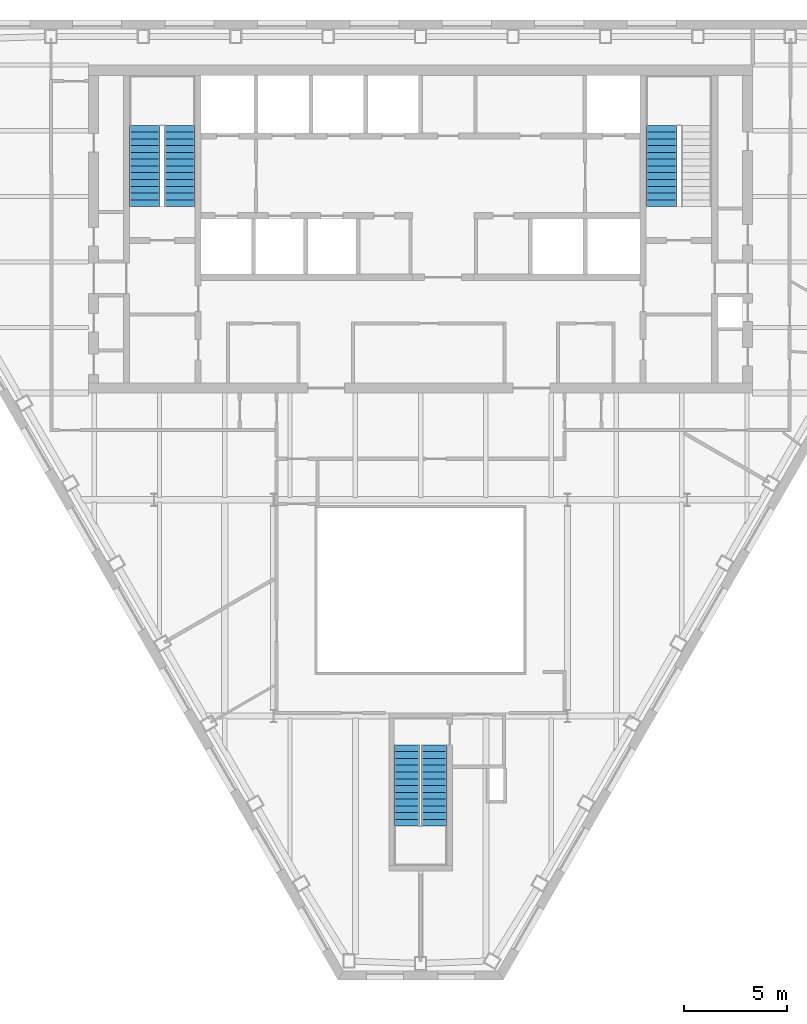
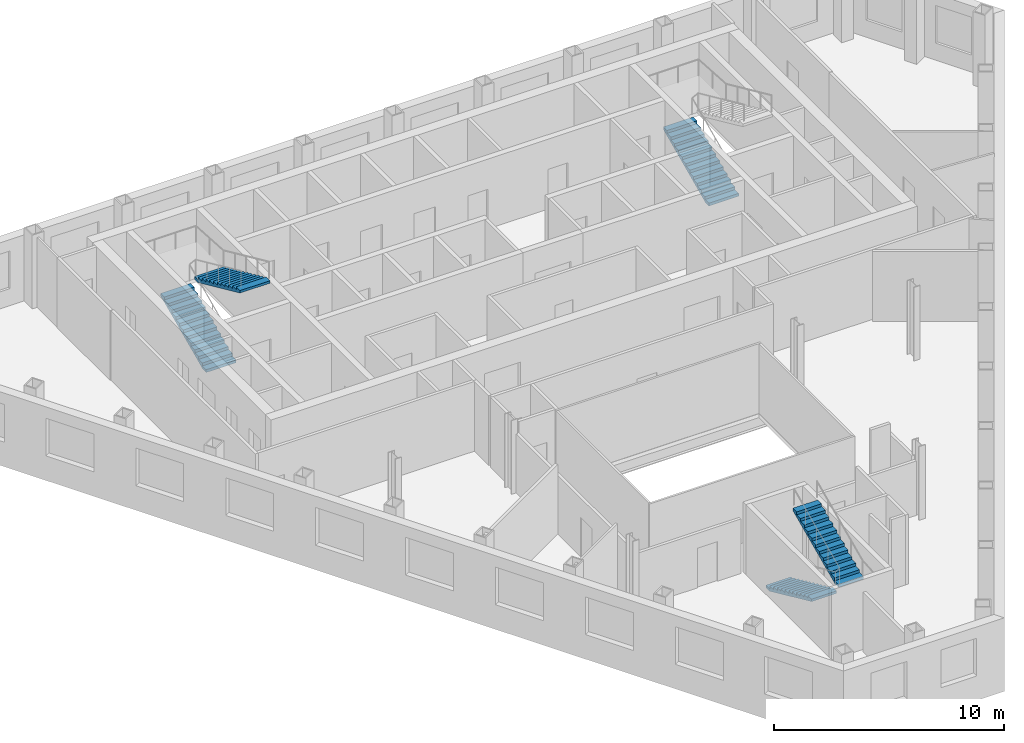
# One storey, part 9 of 11: 5 stair flights, 3 elements without a shape of their own.
"""IFC4 building model written with IfcOpenShell, lengths in metres."""

from ifc_helpers import new_model, si_unit, direction, frame, origin, place, context, subcontext, project, spatial, polygons, material, type_object, element, aggregate, save


model = new_model("IFC4")

# Units and contexts
model_context = context("Model", 3, precision=1e-05, world=origin(), true_north=direction((0.0, 1.0)))
body_context = subcontext(model_context, "Body", "Model", "MODEL_VIEW")
ifc_project = project(units=[si_unit("LENGTHUNIT", "METRE"), si_unit("AREAUNIT", "SQUARE_METRE"), si_unit("VOLUMEUNIT", "CUBIC_METRE"), si_unit("PLANEANGLEUNIT", "RADIAN"), si_unit("MASSUNIT", "GRAM", prefix="KILO")], contexts=[model_context])

# Site, building, storey
site_placement = place(None, origin())
site = spatial("IfcSite", under=ifc_project, at=site_placement, CompositionType="ELEMENT")
building_placement = place(site_placement, origin())
building = spatial("IfcBuilding", under=site, at=building_placement, Name="Njiva Tower", CompositionType="ELEMENT")
storey_placement = place(building_placement, frame((0.0, 0.0, 178.8)))
storey = spatial("IfcBuildingStorey", under=building, at=storey_placement, Name="L39", CompositionType="ELEMENT", Elevation=178.8)

# Stair, stair flights
ifc_material = material(Name="Concrete C40/50", Category="concrete")
stair_type_1 = type_object("IfcStairType", Name="ST1 Exit stair 1250", PredefinedType="HALF_TURN_STAIR", material=ifc_material)
stair_1_placement = place(storey_placement, origin())
stair_1 = element("IfcStair", 1, at=stair_1_placement, inside=storey, type_object=stair_type_1, Name="Stair C", PredefinedType="HALF_TURN_STAIR")
stair_flight_type_1 = type_object("IfcStairFlightType", Name="FL1 Stair flight 1250", PredefinedType="STRAIGHT", material=ifc_material)
stair_flight_1_placement = place(storey_placement, frame((-0.675, -15.16, 0.0), z_axis=(0.0, 0.0, 1.0), x_axis=(0.0, -1.0, 0.0)))
stair_flight_1 = element("IfcStairFlight", 2, at=stair_flight_1_placement, type_object=stair_flight_type_1, Name="ST-C flight 1", NumberOfRisers=13, NumberOfTreads=12, PredefinedType="STRAIGHT", RiserHeight=0.15, TreadLength=0.33, context=body_context, shape_type="Tessellation", body=[
    polygons([(0.0, 0.625, 0.0), (0.0, 0.3125, 0.0), (0.0, 0.0, 0.0), (0.0, -0.3125, 0.0), (0.0, -0.625, 0.0), (0.0, 0.625, 0.15), (0.0, 0.3125, 0.15), (0.0, 0.0, 0.15), (0.0, -0.3125, 0.15), (0.0, -0.625, 0.15), (0.33, 0.625, 0.15), (0.33, 0.3125, 0.15), (0.33, 0.0, 0.15), (0.33, -0.3125, 0.15), (0.33, -0.625, 0.15), (0.33, 0.625, 0.3), (0.33, 0.3125, 0.3), (0.33, 0.0, 0.3), (0.33, -0.3125, 0.3), (0.33, -0.625, 0.3), (0.66, 0.625, 0.3), (0.66, 0.3125, 0.3), (0.66, 0.0, 0.3), (0.66, -0.3125, 0.3), (0.66, -0.625, 0.3), (0.66, 0.625, 0.45), (0.66, 0.3125, 0.45), (0.66, 0.0, 0.45), (0.66, -0.3125, 0.45), (0.66, -0.625, 0.45), (0.99, 0.625, 0.45), (0.99, 0.3125, 0.45), (0.99, 0.0, 0.45), (0.99, -0.3125, 0.45), (0.99, -0.625, 0.45), (0.99, 0.625, 0.6), (0.99, 0.3125, 0.6), (0.99, 0.0, 0.6), (0.99, -0.3125, 0.6), (0.99, -0.625, 0.6), (1.32, 0.625, 0.6), (1.32, 0.3125, 0.6), (1.32, 0.0, 0.6), (1.32, -0.3125, 0.6), (1.32, -0.625, 0.6), (1.32, 0.625, 0.75), (1.32, 0.3125, 0.75), (1.32, 0.0, 0.75), (1.32, -0.3125, 0.75), (1.32, -0.625, 0.75), (1.65, 0.625, 0.75), (1.65, 0.3125, 0.75), (1.65, 0.0, 0.75), (1.65, -0.3125, 0.75), (1.65, -0.625, 0.75), (1.65, 0.625, 0.9), (1.65, 0.3125, 0.9), (1.65, 0.0, 0.9), (1.65, -0.3125, 0.9), (1.65, -0.625, 0.9), (1.98, 0.625, 0.9), (1.98, 0.3125, 0.9), (1.98, 0.0, 0.9), (1.98, -0.3125, 0.9), (1.98, -0.625, 0.9), (1.98, 0.625, 1.05), (1.98, 0.3125, 1.05), (1.98, 0.0, 1.05), (1.98, -0.3125, 1.05), (1.98, -0.625, 1.05), (2.31, 0.625, 1.05), (2.31, 0.3125, 1.05), (2.31, 0.0, 1.05), (2.31, -0.3125, 1.05), (2.31, -0.625, 1.05), (2.31, 0.625, 1.2), (2.31, 0.3125, 1.2), (2.31, 0.0, 1.2), (2.31, -0.3125, 1.2), (2.31, -0.625, 1.2), (2.64, 0.625, 1.2), (2.64, 0.3125, 1.2), (2.64, 0.0, 1.2), (2.64, -0.3125, 1.2), (2.64, -0.625, 1.2), (2.64, 0.625, 1.35), (2.64, 0.3125, 1.35), (2.64, 0.0, 1.35), (2.64, -0.3125, 1.35), (2.64, -0.625, 1.35), (2.97, 0.625, 1.35), (2.97, 0.3125, 1.35), (2.97, 0.0, 1.35), (2.97, -0.3125, 1.35), (2.97, -0.625, 1.35), (2.97, 0.625, 1.5), (2.97, 0.3125, 1.5), (2.97, 0.0, 1.5), (2.97, -0.3125, 1.5), (2.97, -0.625, 1.5), (3.3, 0.625, 1.5), (3.3, 0.3125, 1.5), (3.3, 0.0, 1.5), (3.3, -0.3125, 1.5), (3.3, -0.625, 1.5), (3.3, 0.625, 1.65), (3.3, 0.3125, 1.65), (3.3, 0.0, 1.65), (3.3, -0.3125, 1.65), (3.3, -0.625, 1.65), (3.63, 0.625, 1.65), (3.63, 0.3125, 1.65), (3.63, 0.0, 1.65), (3.63, -0.3125, 1.65), (3.63, -0.625, 1.65), (3.63, 0.625, 1.8), (3.63, 0.3125, 1.8), (3.63, 0.0, 1.8), (3.63, -0.3125, 1.8), (3.63, -0.625, 1.8), (3.96, 0.625, 1.8), (3.96, 0.3125, 1.8), (3.96, 0.0, 1.8), (3.96, -0.3125, 1.8), (3.96, -0.625, 1.8), (3.96, 0.625, 1.6682), (3.96, 0.3125, 1.6682), (3.96, 0.0, 1.6682), (3.96, -0.3125, 1.6682), (3.96, -0.625, 1.6682), (0.29, 0.625, 0.0), (0.29, 0.3125, 0.0), (0.29, 0.0, 0.0), (0.29, -0.3125, 0.0), (0.29, -0.625, 0.0)], [[[1, 6, 11, 16, 21, 26, 31, 36, 41, 46, 51, 56, 61, 66, 71, 76, 81, 86, 91, 96, 101, 106, 111, 116, 121, 126, 131]], [[135, 130, 125, 120, 115, 110, 105, 100, 95, 90, 85, 80, 75, 70, 65, 60, 55, 50, 45, 40, 35, 30, 25, 20, 15, 10, 5]], [[6, 1, 2, 7]], [[7, 2, 3, 8]], [[8, 3, 4, 9]], [[9, 4, 5, 10]], [[11, 6, 7, 12]], [[12, 7, 8, 13]], [[13, 8, 9, 14]], [[14, 9, 10, 15]], [[16, 11, 12, 17]], [[17, 12, 13, 18]], [[18, 13, 14, 19]], [[19, 14, 15, 20]], [[21, 16, 17, 22]], [[22, 17, 18, 23]], [[23, 18, 19, 24]], [[24, 19, 20, 25]], [[26, 21, 22, 27]], [[27, 22, 23, 28]], [[28, 23, 24, 29]], [[29, 24, 25, 30]], [[31, 26, 27, 32]], [[32, 27, 28, 33]], [[33, 28, 29, 34]], [[34, 29, 30, 35]], [[36, 31, 32, 37]], [[37, 32, 33, 38]], [[38, 33, 34, 39]], [[39, 34, 35, 40]], [[41, 36, 37, 42]], [[42, 37, 38, 43]], [[43, 38, 39, 44]], [[44, 39, 40, 45]], [[46, 41, 42, 47]], [[47, 42, 43, 48]], [[48, 43, 44, 49]], [[49, 44, 45, 50]], [[51, 46, 47, 52]], [[52, 47, 48, 53]], [[53, 48, 49, 54]], [[54, 49, 50, 55]], [[56, 51, 52, 57]], [[57, 52, 53, 58]], [[58, 53, 54, 59]], [[59, 54, 55, 60]], [[61, 56, 57, 62]], [[62, 57, 58, 63]], [[63, 58, 59, 64]], [[64, 59, 60, 65]], [[66, 61, 62, 67]], [[67, 62, 63, 68]], [[68, 63, 64, 69]], [[69, 64, 65, 70]], [[71, 66, 67, 72]], [[72, 67, 68, 73]], [[73, 68, 69, 74]], [[74, 69, 70, 75]], [[76, 71, 72, 77]], [[77, 72, 73, 78]], [[78, 73, 74, 79]], [[79, 74, 75, 80]], [[81, 76, 77, 82]], [[82, 77, 78, 83]], [[83, 78, 79, 84]], [[84, 79, 80, 85]], [[86, 81, 82, 87]], [[87, 82, 83, 88]], [[88, 83, 84, 89]], [[89, 84, 85, 90]], [[91, 86, 87, 92]], [[92, 87, 88, 93]], [[93, 88, 89, 94]], [[94, 89, 90, 95]], [[96, 91, 92, 97]], [[97, 92, 93, 98]], [[98, 93, 94, 99]], [[99, 94, 95, 100]], [[101, 96, 97, 102]], [[102, 97, 98, 103]], [[103, 98, 99, 104]], [[104, 99, 100, 105]], [[106, 101, 102, 107]], [[107, 102, 103, 108]], [[108, 103, 104, 109]], [[109, 104, 105, 110]], [[111, 106, 107, 112]], [[112, 107, 108, 113]], [[113, 108, 109, 114]], [[114, 109, 110, 115]], [[116, 111, 112, 117]], [[117, 112, 113, 118]], [[118, 113, 114, 119]], [[119, 114, 115, 120]], [[121, 116, 117, 122]], [[122, 117, 118, 123]], [[123, 118, 119, 124]], [[124, 119, 120, 125]], [[126, 121, 122, 127]], [[127, 122, 123, 128]], [[128, 123, 124, 129]], [[129, 124, 125, 130]], [[131, 126, 127, 132]], [[132, 127, 128, 133]], [[133, 128, 129, 134]], [[134, 129, 130, 135]], [[1, 131, 132, 2]], [[2, 132, 133, 3]], [[3, 133, 134, 4]], [[4, 134, 135, 5]]], closed=True),
])
stair_flight_2_placement = place(storey_placement, frame((0.675, -19.12, 1.95), z_axis=(0.0, 0.0, 1.0), x_axis=(0.0, 1.0, 0.0)))
stair_flight_2 = element("IfcStairFlight", 3, at=stair_flight_2_placement, type_object=stair_flight_type_1, Name="ST-C flight 2", NumberOfRisers=13, NumberOfTreads=12, PredefinedType="STRAIGHT", RiserHeight=0.15, TreadLength=0.33, context=body_context, shape_type="Tessellation", body=[
    polygons([(0.0, 0.625, 0.0), (0.0, 0.3125, 0.0), (0.0, 0.0, 0.0), (0.0, -0.3125, 0.0), (0.0, -0.625, 0.0), (0.0, 0.625, 0.15), (0.0, 0.3125, 0.15), (0.0, 0.0, 0.15), (0.0, -0.3125, 0.15), (0.0, -0.625, 0.15), (0.33, 0.625, 0.15), (0.33, 0.3125, 0.15), (0.33, 0.0, 0.15), (0.33, -0.3125, 0.15), (0.33, -0.625, 0.15), (0.33, 0.625, 0.3), (0.33, 0.3125, 0.3), (0.33, 0.0, 0.3), (0.33, -0.3125, 0.3), (0.33, -0.625, 0.3), (0.66, 0.625, 0.3), (0.66, 0.3125, 0.3), (0.66, 0.0, 0.3), (0.66, -0.3125, 0.3), (0.66, -0.625, 0.3), (0.66, 0.625, 0.45), (0.66, 0.3125, 0.45), (0.66, 0.0, 0.45), (0.66, -0.3125, 0.45), (0.66, -0.625, 0.45), (0.99, 0.625, 0.45), (0.99, 0.3125, 0.45), (0.99, 0.0, 0.45), (0.99, -0.3125, 0.45), (0.99, -0.625, 0.45), (0.99, 0.625, 0.6), (0.99, 0.3125, 0.6), (0.99, 0.0, 0.6), (0.99, -0.3125, 0.6), (0.99, -0.625, 0.6), (1.32, 0.625, 0.6), (1.32, 0.3125, 0.6), (1.32, 0.0, 0.6), (1.32, -0.3125, 0.6), (1.32, -0.625, 0.6), (1.32, 0.625, 0.75), (1.32, 0.3125, 0.75), (1.32, 0.0, 0.75), (1.32, -0.3125, 0.75), (1.32, -0.625, 0.75), (1.65, 0.625, 0.75), (1.65, 0.3125, 0.75), (1.65, 0.0, 0.75), (1.65, -0.3125, 0.75), (1.65, -0.625, 0.75), (1.65, 0.625, 0.9), (1.65, 0.3125, 0.9), (1.65, 0.0, 0.9), (1.65, -0.3125, 0.9), (1.65, -0.625, 0.9), (1.98, 0.625, 0.9), (1.98, 0.3125, 0.9), (1.98, 0.0, 0.9), (1.98, -0.3125, 0.9), (1.98, -0.625, 0.9), (1.98, 0.625, 1.05), (1.98, 0.3125, 1.05), (1.98, 0.0, 1.05), (1.98, -0.3125, 1.05), (1.98, -0.625, 1.05), (2.31, 0.625, 1.05), (2.31, 0.3125, 1.05), (2.31, 0.0, 1.05), (2.31, -0.3125, 1.05), (2.31, -0.625, 1.05), (2.31, 0.625, 1.2), (2.31, 0.3125, 1.2), (2.31, 0.0, 1.2), (2.31, -0.3125, 1.2), (2.31, -0.625, 1.2), (2.64, 0.625, 1.2), (2.64, 0.3125, 1.2), (2.64, 0.0, 1.2), (2.64, -0.3125, 1.2), (2.64, -0.625, 1.2), (2.64, 0.625, 1.35), (2.64, 0.3125, 1.35), (2.64, 0.0, 1.35), (2.64, -0.3125, 1.35), (2.64, -0.625, 1.35), (2.97, 0.625, 1.35), (2.97, 0.3125, 1.35), (2.97, 0.0, 1.35), (2.97, -0.3125, 1.35), (2.97, -0.625, 1.35), (2.97, 0.625, 1.5), (2.97, 0.3125, 1.5), (2.97, 0.0, 1.5), (2.97, -0.3125, 1.5), (2.97, -0.625, 1.5), (3.3, 0.625, 1.5), (3.3, 0.3125, 1.5), (3.3, 0.0, 1.5), (3.3, -0.3125, 1.5), (3.3, -0.625, 1.5), (3.3, 0.625, 1.65), (3.3, 0.3125, 1.65), (3.3, 0.0, 1.65), (3.3, -0.3125, 1.65), (3.3, -0.625, 1.65), (3.63, 0.625, 1.65), (3.63, 0.3125, 1.65), (3.63, 0.0, 1.65), (3.63, -0.3125, 1.65), (3.63, -0.625, 1.65), (3.63, 0.625, 1.8), (3.63, 0.3125, 1.8), (3.63, 0.0, 1.8), (3.63, -0.3125, 1.8), (3.63, -0.625, 1.8), (3.96, 0.625, 1.8), (3.96, 0.3125, 1.8), (3.96, 0.0, 1.8), (3.96, -0.3125, 1.8), (3.96, -0.625, 1.8), (3.96, 0.625, 1.6682), (3.96, 0.3125, 1.6682), (3.96, 0.0, 1.6682), (3.96, -0.3125, 1.6682), (3.96, -0.625, 1.6682), (0.29, 0.625, 0.0), (0.29, 0.3125, 0.0), (0.29, 0.0, 0.0), (0.29, -0.3125, 0.0), (0.29, -0.625, 0.0)], [[[1, 6, 11, 16, 21, 26, 31, 36, 41, 46, 51, 56, 61, 66, 71, 76, 81, 86, 91, 96, 101, 106, 111, 116, 121, 126, 131]], [[135, 130, 125, 120, 115, 110, 105, 100, 95, 90, 85, 80, 75, 70, 65, 60, 55, 50, 45, 40, 35, 30, 25, 20, 15, 10, 5]], [[6, 1, 2, 7]], [[7, 2, 3, 8]], [[8, 3, 4, 9]], [[9, 4, 5, 10]], [[11, 6, 7, 12]], [[12, 7, 8, 13]], [[13, 8, 9, 14]], [[14, 9, 10, 15]], [[16, 11, 12, 17]], [[17, 12, 13, 18]], [[18, 13, 14, 19]], [[19, 14, 15, 20]], [[21, 16, 17, 22]], [[22, 17, 18, 23]], [[23, 18, 19, 24]], [[24, 19, 20, 25]], [[26, 21, 22, 27]], [[27, 22, 23, 28]], [[28, 23, 24, 29]], [[29, 24, 25, 30]], [[31, 26, 27, 32]], [[32, 27, 28, 33]], [[33, 28, 29, 34]], [[34, 29, 30, 35]], [[36, 31, 32, 37]], [[37, 32, 33, 38]], [[38, 33, 34, 39]], [[39, 34, 35, 40]], [[41, 36, 37, 42]], [[42, 37, 38, 43]], [[43, 38, 39, 44]], [[44, 39, 40, 45]], [[46, 41, 42, 47]], [[47, 42, 43, 48]], [[48, 43, 44, 49]], [[49, 44, 45, 50]], [[51, 46, 47, 52]], [[52, 47, 48, 53]], [[53, 48, 49, 54]], [[54, 49, 50, 55]], [[56, 51, 52, 57]], [[57, 52, 53, 58]], [[58, 53, 54, 59]], [[59, 54, 55, 60]], [[61, 56, 57, 62]], [[62, 57, 58, 63]], [[63, 58, 59, 64]], [[64, 59, 60, 65]], [[66, 61, 62, 67]], [[67, 62, 63, 68]], [[68, 63, 64, 69]], [[69, 64, 65, 70]], [[71, 66, 67, 72]], [[72, 67, 68, 73]], [[73, 68, 69, 74]], [[74, 69, 70, 75]], [[76, 71, 72, 77]], [[77, 72, 73, 78]], [[78, 73, 74, 79]], [[79, 74, 75, 80]], [[81, 76, 77, 82]], [[82, 77, 78, 83]], [[83, 78, 79, 84]], [[84, 79, 80, 85]], [[86, 81, 82, 87]], [[87, 82, 83, 88]], [[88, 83, 84, 89]], [[89, 84, 85, 90]], [[91, 86, 87, 92]], [[92, 87, 88, 93]], [[93, 88, 89, 94]], [[94, 89, 90, 95]], [[96, 91, 92, 97]], [[97, 92, 93, 98]], [[98, 93, 94, 99]], [[99, 94, 95, 100]], [[101, 96, 97, 102]], [[102, 97, 98, 103]], [[103, 98, 99, 104]], [[104, 99, 100, 105]], [[106, 101, 102, 107]], [[107, 102, 103, 108]], [[108, 103, 104, 109]], [[109, 104, 105, 110]], [[111, 106, 107, 112]], [[112, 107, 108, 113]], [[113, 108, 109, 114]], [[114, 109, 110, 115]], [[116, 111, 112, 117]], [[117, 112, 113, 118]], [[118, 113, 114, 119]], [[119, 114, 115, 120]], [[121, 116, 117, 122]], [[122, 117, 118, 123]], [[123, 118, 119, 124]], [[124, 119, 120, 125]], [[126, 121, 122, 127]], [[127, 122, 123, 128]], [[128, 123, 124, 129]], [[129, 124, 125, 130]], [[131, 126, 127, 132]], [[132, 127, 128, 133]], [[133, 128, 129, 134]], [[134, 129, 130, 135]], [[1, 131, 132, 2]], [[2, 132, 133, 3]], [[3, 133, 134, 4]], [[4, 134, 135, 5]]], closed=True),
])
aggregate(stair_1, [stair_flight_1, stair_flight_2])

stair_type_2 = type_object("IfcStairType", Name="ST4 Exit stair 1500", PredefinedType="HALF_TURN_STAIR", material=ifc_material)
stair_2_placement = place(storey_placement, origin())
stair_2 = element("IfcStair", 4, at=stair_2_placement, inside=storey, type_object=stair_type_2, Name="Stair A", PredefinedType="HALF_TURN_STAIR")
stair_flight_type_2 = type_object("IfcStairFlightType", Name="FL4 Stair flight 1500", PredefinedType="STRAIGHT", material=ifc_material)
stair_flight_3_placement = place(storey_placement, frame((-13.45, 11.1, 0.0), z_axis=(0.0, 0.0, 1.0), x_axis=(0.0, 1.0, 0.0)))
stair_flight_3 = element("IfcStairFlight", 5, at=stair_flight_3_placement, type_object=stair_flight_type_2, Name="ST-A flight 1", NumberOfRisers=13, NumberOfTreads=12, PredefinedType="STRAIGHT", RiserHeight=0.15, TreadLength=0.33, context=body_context, shape_type="Tessellation", body=[
    polygons([(0.0, 0.75, 0.0), (0.0, 0.375, 0.0), (0.0, 0.0, 0.0), (0.0, -0.375, 0.0), (0.0, -0.75, 0.0), (0.0, 0.75, 0.15), (0.0, 0.375, 0.15), (0.0, 0.0, 0.15), (0.0, -0.375, 0.15), (0.0, -0.75, 0.15), (0.33, 0.75, 0.15), (0.33, 0.375, 0.15), (0.33, 0.0, 0.15), (0.33, -0.375, 0.15), (0.33, -0.75, 0.15), (0.33, 0.75, 0.3), (0.33, 0.375, 0.3), (0.33, 0.0, 0.3), (0.33, -0.375, 0.3), (0.33, -0.75, 0.3), (0.66, 0.75, 0.3), (0.66, 0.375, 0.3), (0.66, 0.0, 0.3), (0.66, -0.375, 0.3), (0.66, -0.75, 0.3), (0.66, 0.75, 0.45), (0.66, 0.375, 0.45), (0.66, 0.0, 0.45), (0.66, -0.375, 0.45), (0.66, -0.75, 0.45), (0.99, 0.75, 0.45), (0.99, 0.375, 0.45), (0.99, 0.0, 0.45), (0.99, -0.375, 0.45), (0.99, -0.75, 0.45), (0.99, 0.75, 0.6), (0.99, 0.375, 0.6), (0.99, 0.0, 0.6), (0.99, -0.375, 0.6), (0.99, -0.75, 0.6), (1.32, 0.75, 0.6), (1.32, 0.375, 0.6), (1.32, 0.0, 0.6), (1.32, -0.375, 0.6), (1.32, -0.75, 0.6), (1.32, 0.75, 0.75), (1.32, 0.375, 0.75), (1.32, 0.0, 0.75), (1.32, -0.375, 0.75), (1.32, -0.75, 0.75), (1.65, 0.75, 0.75), (1.65, 0.375, 0.75), (1.65, 0.0, 0.75), (1.65, -0.375, 0.75), (1.65, -0.75, 0.75), (1.65, 0.75, 0.9), (1.65, 0.375, 0.9), (1.65, 0.0, 0.9), (1.65, -0.375, 0.9), (1.65, -0.75, 0.9), (1.98, 0.75, 0.9), (1.98, 0.375, 0.9), (1.98, 0.0, 0.9), (1.98, -0.375, 0.9), (1.98, -0.75, 0.9), (1.98, 0.75, 1.05), (1.98, 0.375, 1.05), (1.98, 0.0, 1.05), (1.98, -0.375, 1.05), (1.98, -0.75, 1.05), (2.31, 0.75, 1.05), (2.31, 0.375, 1.05), (2.31, 0.0, 1.05), (2.31, -0.375, 1.05), (2.31, -0.75, 1.05), (2.31, 0.75, 1.2), (2.31, 0.375, 1.2), (2.31, 0.0, 1.2), (2.31, -0.375, 1.2), (2.31, -0.75, 1.2), (2.64, 0.75, 1.2), (2.64, 0.375, 1.2), (2.64, 0.0, 1.2), (2.64, -0.375, 1.2), (2.64, -0.75, 1.2), (2.64, 0.75, 1.35), (2.64, 0.375, 1.35), (2.64, 0.0, 1.35), (2.64, -0.375, 1.35), (2.64, -0.75, 1.35), (2.97, 0.75, 1.35), (2.97, 0.375, 1.35), (2.97, 0.0, 1.35), (2.97, -0.375, 1.35), (2.97, -0.75, 1.35), (2.97, 0.75, 1.5), (2.97, 0.375, 1.5), (2.97, 0.0, 1.5), (2.97, -0.375, 1.5), (2.97, -0.75, 1.5), (3.3, 0.75, 1.5), (3.3, 0.375, 1.5), (3.3, 0.0, 1.5), (3.3, -0.375, 1.5), (3.3, -0.75, 1.5), (3.3, 0.75, 1.65), (3.3, 0.375, 1.65), (3.3, 0.0, 1.65), (3.3, -0.375, 1.65), (3.3, -0.75, 1.65), (3.63, 0.75, 1.65), (3.63, 0.375, 1.65), (3.63, 0.0, 1.65), (3.63, -0.375, 1.65), (3.63, -0.75, 1.65), (3.63, 0.75, 1.8), (3.63, 0.375, 1.8), (3.63, 0.0, 1.8), (3.63, -0.375, 1.8), (3.63, -0.75, 1.8), (3.96, 0.75, 1.8), (3.96, 0.375, 1.8), (3.96, 0.0, 1.8), (3.96, -0.375, 1.8), (3.96, -0.75, 1.8), (3.96, 0.75, 1.6682), (3.96, 0.375, 1.6682), (3.96, 0.0, 1.6682), (3.96, -0.375, 1.6682), (3.96, -0.75, 1.6682), (0.29, 0.75, 0.0), (0.29, 0.375, 0.0), (0.29, 0.0, 0.0), (0.29, -0.375, 0.0), (0.29, -0.75, 0.0)], [[[1, 6, 11, 16, 21, 26, 31, 36, 41, 46, 51, 56, 61, 66, 71, 76, 81, 86, 91, 96, 101, 106, 111, 116, 121, 126, 131]], [[135, 130, 125, 120, 115, 110, 105, 100, 95, 90, 85, 80, 75, 70, 65, 60, 55, 50, 45, 40, 35, 30, 25, 20, 15, 10, 5]], [[6, 1, 2, 7]], [[7, 2, 3, 8]], [[8, 3, 4, 9]], [[9, 4, 5, 10]], [[11, 6, 7, 12]], [[12, 7, 8, 13]], [[13, 8, 9, 14]], [[14, 9, 10, 15]], [[16, 11, 12, 17]], [[17, 12, 13, 18]], [[18, 13, 14, 19]], [[19, 14, 15, 20]], [[21, 16, 17, 22]], [[22, 17, 18, 23]], [[23, 18, 19, 24]], [[24, 19, 20, 25]], [[26, 21, 22, 27]], [[27, 22, 23, 28]], [[28, 23, 24, 29]], [[29, 24, 25, 30]], [[31, 26, 27, 32]], [[32, 27, 28, 33]], [[33, 28, 29, 34]], [[34, 29, 30, 35]], [[36, 31, 32, 37]], [[37, 32, 33, 38]], [[38, 33, 34, 39]], [[39, 34, 35, 40]], [[41, 36, 37, 42]], [[42, 37, 38, 43]], [[43, 38, 39, 44]], [[44, 39, 40, 45]], [[46, 41, 42, 47]], [[47, 42, 43, 48]], [[48, 43, 44, 49]], [[49, 44, 45, 50]], [[51, 46, 47, 52]], [[52, 47, 48, 53]], [[53, 48, 49, 54]], [[54, 49, 50, 55]], [[56, 51, 52, 57]], [[57, 52, 53, 58]], [[58, 53, 54, 59]], [[59, 54, 55, 60]], [[61, 56, 57, 62]], [[62, 57, 58, 63]], [[63, 58, 59, 64]], [[64, 59, 60, 65]], [[66, 61, 62, 67]], [[67, 62, 63, 68]], [[68, 63, 64, 69]], [[69, 64, 65, 70]], [[71, 66, 67, 72]], [[72, 67, 68, 73]], [[73, 68, 69, 74]], [[74, 69, 70, 75]], [[76, 71, 72, 77]], [[77, 72, 73, 78]], [[78, 73, 74, 79]], [[79, 74, 75, 80]], [[81, 76, 77, 82]], [[82, 77, 78, 83]], [[83, 78, 79, 84]], [[84, 79, 80, 85]], [[86, 81, 82, 87]], [[87, 82, 83, 88]], [[88, 83, 84, 89]], [[89, 84, 85, 90]], [[91, 86, 87, 92]], [[92, 87, 88, 93]], [[93, 88, 89, 94]], [[94, 89, 90, 95]], [[96, 91, 92, 97]], [[97, 92, 93, 98]], [[98, 93, 94, 99]], [[99, 94, 95, 100]], [[101, 96, 97, 102]], [[102, 97, 98, 103]], [[103, 98, 99, 104]], [[104, 99, 100, 105]], [[106, 101, 102, 107]], [[107, 102, 103, 108]], [[108, 103, 104, 109]], [[109, 104, 105, 110]], [[111, 106, 107, 112]], [[112, 107, 108, 113]], [[113, 108, 109, 114]], [[114, 109, 110, 115]], [[116, 111, 112, 117]], [[117, 112, 113, 118]], [[118, 113, 114, 119]], [[119, 114, 115, 120]], [[121, 116, 117, 122]], [[122, 117, 118, 123]], [[123, 118, 119, 124]], [[124, 119, 120, 125]], [[126, 121, 122, 127]], [[127, 122, 123, 128]], [[128, 123, 124, 129]], [[129, 124, 125, 130]], [[131, 126, 127, 132]], [[132, 127, 128, 133]], [[133, 128, 129, 134]], [[134, 129, 130, 135]], [[1, 131, 132, 2]], [[2, 132, 133, 3]], [[3, 133, 134, 4]], [[4, 134, 135, 5]]], closed=True),
])
stair_flight_4_placement = place(storey_placement, frame((-11.75, 15.06, 1.95), z_axis=(0.0, 0.0, 1.0), x_axis=(0.0, -1.0, 0.0)))
stair_flight_4 = element("IfcStairFlight", 6, at=stair_flight_4_placement, type_object=stair_flight_type_2, Name="ST-A flight 2", NumberOfRisers=13, NumberOfTreads=12, PredefinedType="STRAIGHT", RiserHeight=0.15, TreadLength=0.33, context=body_context, shape_type="Tessellation", body=[
    polygons([(0.0, 0.75, 0.0), (0.0, 0.375, 0.0), (0.0, 0.0, 0.0), (0.0, -0.375, 0.0), (0.0, -0.75, 0.0), (0.0, 0.75, 0.15), (0.0, 0.375, 0.15), (0.0, 0.0, 0.15), (0.0, -0.375, 0.15), (0.0, -0.75, 0.15), (0.33, 0.75, 0.15), (0.33, 0.375, 0.15), (0.33, 0.0, 0.15), (0.33, -0.375, 0.15), (0.33, -0.75, 0.15), (0.33, 0.75, 0.3), (0.33, 0.375, 0.3), (0.33, 0.0, 0.3), (0.33, -0.375, 0.3), (0.33, -0.75, 0.3), (0.66, 0.75, 0.3), (0.66, 0.375, 0.3), (0.66, 0.0, 0.3), (0.66, -0.375, 0.3), (0.66, -0.75, 0.3), (0.66, 0.75, 0.45), (0.66, 0.375, 0.45), (0.66, 0.0, 0.45), (0.66, -0.375, 0.45), (0.66, -0.75, 0.45), (0.99, 0.75, 0.45), (0.99, 0.375, 0.45), (0.99, 0.0, 0.45), (0.99, -0.375, 0.45), (0.99, -0.75, 0.45), (0.99, 0.75, 0.6), (0.99, 0.375, 0.6), (0.99, 0.0, 0.6), (0.99, -0.375, 0.6), (0.99, -0.75, 0.6), (1.32, 0.75, 0.6), (1.32, 0.375, 0.6), (1.32, 0.0, 0.6), (1.32, -0.375, 0.6), (1.32, -0.75, 0.6), (1.32, 0.75, 0.75), (1.32, 0.375, 0.75), (1.32, 0.0, 0.75), (1.32, -0.375, 0.75), (1.32, -0.75, 0.75), (1.65, 0.75, 0.75), (1.65, 0.375, 0.75), (1.65, 0.0, 0.75), (1.65, -0.375, 0.75), (1.65, -0.75, 0.75), (1.65, 0.75, 0.9), (1.65, 0.375, 0.9), (1.65, 0.0, 0.9), (1.65, -0.375, 0.9), (1.65, -0.75, 0.9), (1.98, 0.75, 0.9), (1.98, 0.375, 0.9), (1.98, 0.0, 0.9), (1.98, -0.375, 0.9), (1.98, -0.75, 0.9), (1.98, 0.75, 1.05), (1.98, 0.375, 1.05), (1.98, 0.0, 1.05), (1.98, -0.375, 1.05), (1.98, -0.75, 1.05), (2.31, 0.75, 1.05), (2.31, 0.375, 1.05), (2.31, 0.0, 1.05), (2.31, -0.375, 1.05), (2.31, -0.75, 1.05), (2.31, 0.75, 1.2), (2.31, 0.375, 1.2), (2.31, 0.0, 1.2), (2.31, -0.375, 1.2), (2.31, -0.75, 1.2), (2.64, 0.75, 1.2), (2.64, 0.375, 1.2), (2.64, 0.0, 1.2), (2.64, -0.375, 1.2), (2.64, -0.75, 1.2), (2.64, 0.75, 1.35), (2.64, 0.375, 1.35), (2.64, 0.0, 1.35), (2.64, -0.375, 1.35), (2.64, -0.75, 1.35), (2.97, 0.75, 1.35), (2.97, 0.375, 1.35), (2.97, 0.0, 1.35), (2.97, -0.375, 1.35), (2.97, -0.75, 1.35), (2.97, 0.75, 1.5), (2.97, 0.375, 1.5), (2.97, 0.0, 1.5), (2.97, -0.375, 1.5), (2.97, -0.75, 1.5), (3.3, 0.75, 1.5), (3.3, 0.375, 1.5), (3.3, 0.0, 1.5), (3.3, -0.375, 1.5), (3.3, -0.75, 1.5), (3.3, 0.75, 1.65), (3.3, 0.375, 1.65), (3.3, 0.0, 1.65), (3.3, -0.375, 1.65), (3.3, -0.75, 1.65), (3.63, 0.75, 1.65), (3.63, 0.375, 1.65), (3.63, 0.0, 1.65), (3.63, -0.375, 1.65), (3.63, -0.75, 1.65), (3.63, 0.75, 1.8), (3.63, 0.375, 1.8), (3.63, 0.0, 1.8), (3.63, -0.375, 1.8), (3.63, -0.75, 1.8), (3.96, 0.75, 1.8), (3.96, 0.375, 1.8), (3.96, 0.0, 1.8), (3.96, -0.375, 1.8), (3.96, -0.75, 1.8), (3.96, 0.75, 1.6682), (3.96, 0.375, 1.6682), (3.96, 0.0, 1.6682), (3.96, -0.375, 1.6682), (3.96, -0.75, 1.6682), (0.29, 0.75, 0.0), (0.29, 0.375, 0.0), (0.29, 0.0, 0.0), (0.29, -0.375, 0.0), (0.29, -0.75, 0.0)], [[[1, 6, 11, 16, 21, 26, 31, 36, 41, 46, 51, 56, 61, 66, 71, 76, 81, 86, 91, 96, 101, 106, 111, 116, 121, 126, 131]], [[135, 130, 125, 120, 115, 110, 105, 100, 95, 90, 85, 80, 75, 70, 65, 60, 55, 50, 45, 40, 35, 30, 25, 20, 15, 10, 5]], [[6, 1, 2, 7]], [[7, 2, 3, 8]], [[8, 3, 4, 9]], [[9, 4, 5, 10]], [[11, 6, 7, 12]], [[12, 7, 8, 13]], [[13, 8, 9, 14]], [[14, 9, 10, 15]], [[16, 11, 12, 17]], [[17, 12, 13, 18]], [[18, 13, 14, 19]], [[19, 14, 15, 20]], [[21, 16, 17, 22]], [[22, 17, 18, 23]], [[23, 18, 19, 24]], [[24, 19, 20, 25]], [[26, 21, 22, 27]], [[27, 22, 23, 28]], [[28, 23, 24, 29]], [[29, 24, 25, 30]], [[31, 26, 27, 32]], [[32, 27, 28, 33]], [[33, 28, 29, 34]], [[34, 29, 30, 35]], [[36, 31, 32, 37]], [[37, 32, 33, 38]], [[38, 33, 34, 39]], [[39, 34, 35, 40]], [[41, 36, 37, 42]], [[42, 37, 38, 43]], [[43, 38, 39, 44]], [[44, 39, 40, 45]], [[46, 41, 42, 47]], [[47, 42, 43, 48]], [[48, 43, 44, 49]], [[49, 44, 45, 50]], [[51, 46, 47, 52]], [[52, 47, 48, 53]], [[53, 48, 49, 54]], [[54, 49, 50, 55]], [[56, 51, 52, 57]], [[57, 52, 53, 58]], [[58, 53, 54, 59]], [[59, 54, 55, 60]], [[61, 56, 57, 62]], [[62, 57, 58, 63]], [[63, 58, 59, 64]], [[64, 59, 60, 65]], [[66, 61, 62, 67]], [[67, 62, 63, 68]], [[68, 63, 64, 69]], [[69, 64, 65, 70]], [[71, 66, 67, 72]], [[72, 67, 68, 73]], [[73, 68, 69, 74]], [[74, 69, 70, 75]], [[76, 71, 72, 77]], [[77, 72, 73, 78]], [[78, 73, 74, 79]], [[79, 74, 75, 80]], [[81, 76, 77, 82]], [[82, 77, 78, 83]], [[83, 78, 79, 84]], [[84, 79, 80, 85]], [[86, 81, 82, 87]], [[87, 82, 83, 88]], [[88, 83, 84, 89]], [[89, 84, 85, 90]], [[91, 86, 87, 92]], [[92, 87, 88, 93]], [[93, 88, 89, 94]], [[94, 89, 90, 95]], [[96, 91, 92, 97]], [[97, 92, 93, 98]], [[98, 93, 94, 99]], [[99, 94, 95, 100]], [[101, 96, 97, 102]], [[102, 97, 98, 103]], [[103, 98, 99, 104]], [[104, 99, 100, 105]], [[106, 101, 102, 107]], [[107, 102, 103, 108]], [[108, 103, 104, 109]], [[109, 104, 105, 110]], [[111, 106, 107, 112]], [[112, 107, 108, 113]], [[113, 108, 109, 114]], [[114, 109, 110, 115]], [[116, 111, 112, 117]], [[117, 112, 113, 118]], [[118, 113, 114, 119]], [[119, 114, 115, 120]], [[121, 116, 117, 122]], [[122, 117, 118, 123]], [[123, 118, 119, 124]], [[124, 119, 120, 125]], [[126, 121, 122, 127]], [[127, 122, 123, 128]], [[128, 123, 124, 129]], [[129, 124, 125, 130]], [[131, 126, 127, 132]], [[132, 127, 128, 133]], [[133, 128, 129, 134]], [[134, 129, 130, 135]], [[1, 131, 132, 2]], [[2, 132, 133, 3]], [[3, 133, 134, 4]], [[4, 134, 135, 5]]], closed=True),
])
aggregate(stair_2, [stair_flight_3, stair_flight_4])

# Stair, stair flight
stair_3_placement = place(storey_placement, origin())
stair_3 = element("IfcStair", 7, at=stair_3_placement, inside=storey, type_object=stair_type_2, Name="Stair B", PredefinedType="HALF_TURN_STAIR")
stair_flight_5_placement = place(storey_placement, frame((11.75, 11.1, 0.0), z_axis=(0.0, 0.0, 1.0), x_axis=(0.0, 1.0, 0.0)))
stair_flight_5 = element("IfcStairFlight", 8, at=stair_flight_5_placement, type_object=stair_flight_type_2, Name="ST-B flight 1", NumberOfRisers=13, NumberOfTreads=12, PredefinedType="STRAIGHT", RiserHeight=0.15, TreadLength=0.33, context=body_context, shape_type="Tessellation", body=[
    polygons([(0.0, 0.75, 0.0), (0.0, 0.375, 0.0), (0.0, 0.0, 0.0), (0.0, -0.375, 0.0), (0.0, -0.75, 0.0), (0.0, 0.75, 0.15), (0.0, 0.375, 0.15), (0.0, 0.0, 0.15), (0.0, -0.375, 0.15), (0.0, -0.75, 0.15), (0.33, 0.75, 0.15), (0.33, 0.375, 0.15), (0.33, 0.0, 0.15), (0.33, -0.375, 0.15), (0.33, -0.75, 0.15), (0.33, 0.75, 0.3), (0.33, 0.375, 0.3), (0.33, 0.0, 0.3), (0.33, -0.375, 0.3), (0.33, -0.75, 0.3), (0.66, 0.75, 0.3), (0.66, 0.375, 0.3), (0.66, 0.0, 0.3), (0.66, -0.375, 0.3), (0.66, -0.75, 0.3), (0.66, 0.75, 0.45), (0.66, 0.375, 0.45), (0.66, 0.0, 0.45), (0.66, -0.375, 0.45), (0.66, -0.75, 0.45), (0.99, 0.75, 0.45), (0.99, 0.375, 0.45), (0.99, 0.0, 0.45), (0.99, -0.375, 0.45), (0.99, -0.75, 0.45), (0.99, 0.75, 0.6), (0.99, 0.375, 0.6), (0.99, 0.0, 0.6), (0.99, -0.375, 0.6), (0.99, -0.75, 0.6), (1.32, 0.75, 0.6), (1.32, 0.375, 0.6), (1.32, 0.0, 0.6), (1.32, -0.375, 0.6), (1.32, -0.75, 0.6), (1.32, 0.75, 0.75), (1.32, 0.375, 0.75), (1.32, 0.0, 0.75), (1.32, -0.375, 0.75), (1.32, -0.75, 0.75), (1.65, 0.75, 0.75), (1.65, 0.375, 0.75), (1.65, 0.0, 0.75), (1.65, -0.375, 0.75), (1.65, -0.75, 0.75), (1.65, 0.75, 0.9), (1.65, 0.375, 0.9), (1.65, 0.0, 0.9), (1.65, -0.375, 0.9), (1.65, -0.75, 0.9), (1.98, 0.75, 0.9), (1.98, 0.375, 0.9), (1.98, 0.0, 0.9), (1.98, -0.375, 0.9), (1.98, -0.75, 0.9), (1.98, 0.75, 1.05), (1.98, 0.375, 1.05), (1.98, 0.0, 1.05), (1.98, -0.375, 1.05), (1.98, -0.75, 1.05), (2.31, 0.75, 1.05), (2.31, 0.375, 1.05), (2.31, 0.0, 1.05), (2.31, -0.375, 1.05), (2.31, -0.75, 1.05), (2.31, 0.75, 1.2), (2.31, 0.375, 1.2), (2.31, 0.0, 1.2), (2.31, -0.375, 1.2), (2.31, -0.75, 1.2), (2.64, 0.75, 1.2), (2.64, 0.375, 1.2), (2.64, 0.0, 1.2), (2.64, -0.375, 1.2), (2.64, -0.75, 1.2), (2.64, 0.75, 1.35), (2.64, 0.375, 1.35), (2.64, 0.0, 1.35), (2.64, -0.375, 1.35), (2.64, -0.75, 1.35), (2.97, 0.75, 1.35), (2.97, 0.375, 1.35), (2.97, 0.0, 1.35), (2.97, -0.375, 1.35), (2.97, -0.75, 1.35), (2.97, 0.75, 1.5), (2.97, 0.375, 1.5), (2.97, 0.0, 1.5), (2.97, -0.375, 1.5), (2.97, -0.75, 1.5), (3.3, 0.75, 1.5), (3.3, 0.375, 1.5), (3.3, 0.0, 1.5), (3.3, -0.375, 1.5), (3.3, -0.75, 1.5), (3.3, 0.75, 1.65), (3.3, 0.375, 1.65), (3.3, 0.0, 1.65), (3.3, -0.375, 1.65), (3.3, -0.75, 1.65), (3.63, 0.75, 1.65), (3.63, 0.375, 1.65), (3.63, 0.0, 1.65), (3.63, -0.375, 1.65), (3.63, -0.75, 1.65), (3.63, 0.75, 1.8), (3.63, 0.375, 1.8), (3.63, 0.0, 1.8), (3.63, -0.375, 1.8), (3.63, -0.75, 1.8), (3.96, 0.75, 1.8), (3.96, 0.375, 1.8), (3.96, 0.0, 1.8), (3.96, -0.375, 1.8), (3.96, -0.75, 1.8), (3.96, 0.75, 1.6682), (3.96, 0.375, 1.6682), (3.96, 0.0, 1.6682), (3.96, -0.375, 1.6682), (3.96, -0.75, 1.6682), (0.29, 0.75, 0.0), (0.29, 0.375, 0.0), (0.29, 0.0, 0.0), (0.29, -0.375, 0.0), (0.29, -0.75, 0.0)], [[[1, 6, 11, 16, 21, 26, 31, 36, 41, 46, 51, 56, 61, 66, 71, 76, 81, 86, 91, 96, 101, 106, 111, 116, 121, 126, 131]], [[135, 130, 125, 120, 115, 110, 105, 100, 95, 90, 85, 80, 75, 70, 65, 60, 55, 50, 45, 40, 35, 30, 25, 20, 15, 10, 5]], [[6, 1, 2, 7]], [[7, 2, 3, 8]], [[8, 3, 4, 9]], [[9, 4, 5, 10]], [[11, 6, 7, 12]], [[12, 7, 8, 13]], [[13, 8, 9, 14]], [[14, 9, 10, 15]], [[16, 11, 12, 17]], [[17, 12, 13, 18]], [[18, 13, 14, 19]], [[19, 14, 15, 20]], [[21, 16, 17, 22]], [[22, 17, 18, 23]], [[23, 18, 19, 24]], [[24, 19, 20, 25]], [[26, 21, 22, 27]], [[27, 22, 23, 28]], [[28, 23, 24, 29]], [[29, 24, 25, 30]], [[31, 26, 27, 32]], [[32, 27, 28, 33]], [[33, 28, 29, 34]], [[34, 29, 30, 35]], [[36, 31, 32, 37]], [[37, 32, 33, 38]], [[38, 33, 34, 39]], [[39, 34, 35, 40]], [[41, 36, 37, 42]], [[42, 37, 38, 43]], [[43, 38, 39, 44]], [[44, 39, 40, 45]], [[46, 41, 42, 47]], [[47, 42, 43, 48]], [[48, 43, 44, 49]], [[49, 44, 45, 50]], [[51, 46, 47, 52]], [[52, 47, 48, 53]], [[53, 48, 49, 54]], [[54, 49, 50, 55]], [[56, 51, 52, 57]], [[57, 52, 53, 58]], [[58, 53, 54, 59]], [[59, 54, 55, 60]], [[61, 56, 57, 62]], [[62, 57, 58, 63]], [[63, 58, 59, 64]], [[64, 59, 60, 65]], [[66, 61, 62, 67]], [[67, 62, 63, 68]], [[68, 63, 64, 69]], [[69, 64, 65, 70]], [[71, 66, 67, 72]], [[72, 67, 68, 73]], [[73, 68, 69, 74]], [[74, 69, 70, 75]], [[76, 71, 72, 77]], [[77, 72, 73, 78]], [[78, 73, 74, 79]], [[79, 74, 75, 80]], [[81, 76, 77, 82]], [[82, 77, 78, 83]], [[83, 78, 79, 84]], [[84, 79, 80, 85]], [[86, 81, 82, 87]], [[87, 82, 83, 88]], [[88, 83, 84, 89]], [[89, 84, 85, 90]], [[91, 86, 87, 92]], [[92, 87, 88, 93]], [[93, 88, 89, 94]], [[94, 89, 90, 95]], [[96, 91, 92, 97]], [[97, 92, 93, 98]], [[98, 93, 94, 99]], [[99, 94, 95, 100]], [[101, 96, 97, 102]], [[102, 97, 98, 103]], [[103, 98, 99, 104]], [[104, 99, 100, 105]], [[106, 101, 102, 107]], [[107, 102, 103, 108]], [[108, 103, 104, 109]], [[109, 104, 105, 110]], [[111, 106, 107, 112]], [[112, 107, 108, 113]], [[113, 108, 109, 114]], [[114, 109, 110, 115]], [[116, 111, 112, 117]], [[117, 112, 113, 118]], [[118, 113, 114, 119]], [[119, 114, 115, 120]], [[121, 116, 117, 122]], [[122, 117, 118, 123]], [[123, 118, 119, 124]], [[124, 119, 120, 125]], [[126, 121, 122, 127]], [[127, 122, 123, 128]], [[128, 123, 124, 129]], [[129, 124, 125, 130]], [[131, 126, 127, 132]], [[132, 127, 128, 133]], [[133, 128, 129, 134]], [[134, 129, 130, 135]], [[1, 131, 132, 2]], [[2, 132, 133, 3]], [[3, 133, 134, 4]], [[4, 134, 135, 5]]], closed=True),
])
aggregate(stair_3, [stair_flight_5])

save(model, "model.ifc")
